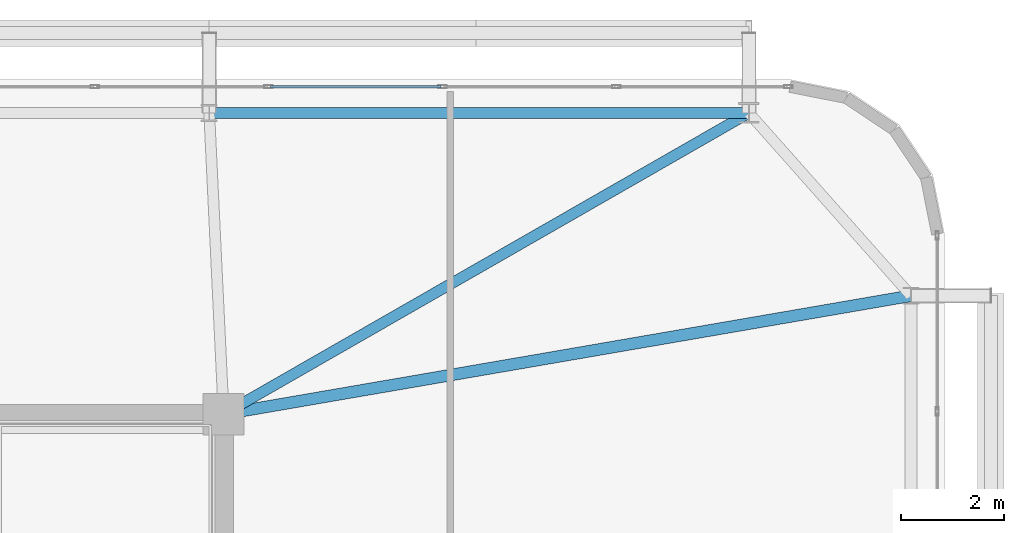
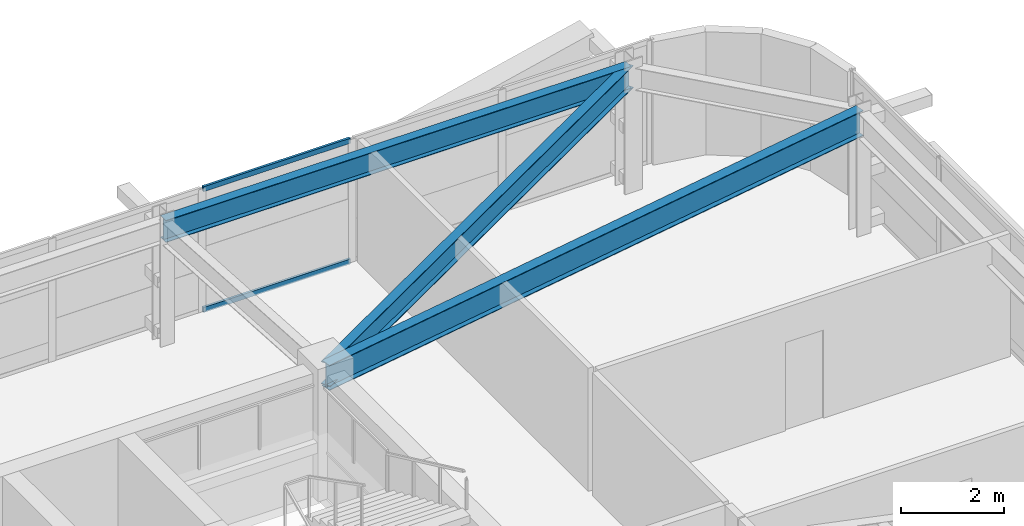
# One storey, part 39 of 59: 3 beams, 2 members, 1 element without a shape of its own.
"""IFC4 building model written with IfcOpenShell, lengths in metres."""

from ifc_helpers import new_model, si_unit, direction, frame, origin, origin_2d, place, context, subcontext, project, spatial, hollow_rectangle, i_section, extrude, source, transform, mapped, material, layer, layer_set, material_profile, profile_set, type_object, element, aggregate, save


model = new_model("IFC4")

# Units and contexts
model_context = context("Model", 3, precision=1e-05, world=origin(), true_north=direction((0.0, 1.0)))
body_context = subcontext(model_context, "Body", "Model", "MODEL_VIEW")
ifc_project = project(units=[si_unit("LENGTHUNIT", "METRE"), si_unit("AREAUNIT", "SQUARE_METRE"), si_unit("VOLUMEUNIT", "CUBIC_METRE"), si_unit("PLANEANGLEUNIT", "RADIAN"), si_unit("MASSUNIT", "GRAM", prefix="KILO")], contexts=[model_context])

# Site, building, storey
site_placement = place(None, origin())
site = spatial("IfcSite", under=ifc_project, at=site_placement, CompositionType="ELEMENT")
building_placement = place(site_placement, origin())
building = spatial("IfcBuilding", under=site, at=building_placement, Name="Taldren Reach Tower", CompositionType="ELEMENT")
storey_placement = place(building_placement, frame((0.0, 0.0, 29.39990234375)))
storey = spatial("IfcBuildingStorey", under=building, at=storey_placement, Name="L08", CompositionType="ELEMENT", Elevation=29.39990234375)

# Beams
ifc_material_1 = material(Name="Steel Gr 350 (350PLUS)", Category="steel")
ifc_material_profile_1 = material_profile(ifc_material_1, i_section(OverallWidth=0.208984375, OverallDepth=0.528076171875, WebThickness=0.009521484375, FlangeThickness=0.01318359375, at=origin_2d()), Name="530UB82.0")
ifc_profile_set_1 = profile_set([ifc_material_profile_1], Name="Steel Gr 350 (350PLUS)")
beam_type_1 = type_object("IfcBeamType", Name="SP-UB530B", PredefinedType="SPANDREL", material=ifc_profile_set_1)
shared_shape_1 = source(origin(), body_context, "Body", "SweptSolid", [
    extrude(i_section(OverallWidth=0.208984375, OverallDepth=0.528076171875, WebThickness=0.009521484375, FlangeThickness=0.01318359375, at=origin_2d()), origin(), (0.0, 0.0, 1.0), 10.47998046875),
])
beam_1_placement = place(storey_placement, frame((61.199951171875, 37.85009765625, 2.666015625), z_axis=(-1.0, 0.0, 0.0), x_axis=(0.0, -1.0, 0.0)))
element("IfcBeam", 1, at=beam_1_placement, inside=storey, type_object=beam_type_1, Name="Perimeter spandrel B1 N6-N5 L08", PredefinedType="SPANDREL", context=body_context, shape_type="MappedRepresentation", body=[
    mapped(shared_shape_1, transform((0.0, 0.0, 0.0), scale=1.0)),
])
ifc_material_profile_2 = material_profile(ifc_material_1, i_section(OverallWidth=0.22802734375, OverallDepth=0.60205078125, WebThickness=0.010498046875, FlangeThickness=0.014892578125, at=origin_2d()), Name="610UB101")
ifc_profile_set_2 = profile_set([ifc_material_profile_2], Name="Steel Gr 350 (350PLUS)")
beam_type_2 = type_object("IfcBeamType", Name="BM-UB610B", PredefinedType="BEAM", material=ifc_profile_set_2)
shared_shape_2 = source(origin(), body_context, "Body", "SweptSolid", [
    extrude(i_section(OverallWidth=0.22802734375, OverallDepth=0.60205078125, WebThickness=0.010498046875, FlangeThickness=0.014892578125, at=origin_2d()), origin(), (0.0, 0.0, 1.0), 13.546875),
])
beam_2_placement = place(storey_placement, frame((51.0, 32.0, 2.629150390625), z_axis=(0.985481022998, 0.169785609847, 0.0), x_axis=(-0.169785609847, 0.985481022998, 0.0)))
element("IfcBeam", 2, at=beam_2_placement, inside=storey, type_object=beam_type_2, Name="Primary floor girder B1-E3 L08", PredefinedType="BEAM", context=body_context, shape_type="MappedRepresentation", body=[
    mapped(shared_shape_2, transform((0.0, 0.0, 0.0), scale=1.0)),
])
ifc_material_profile_3 = material_profile(ifc_material_1, i_section(OverallWidth=0.208984375, OverallDepth=0.532958984375, WebThickness=0.01025390625, FlangeThickness=0.015625, at=origin_2d()), Name="530UB92.4")
ifc_profile_set_3 = profile_set([ifc_material_profile_3], Name="Steel Gr 350 (350PLUS)")
beam_type_3 = type_object("IfcBeamType", Name="BM-UB530A", PredefinedType="BEAM", material=ifc_profile_set_3)
shared_shape_3 = source(origin(), body_context, "Body", "SweptSolid", [
    extrude(i_section(OverallWidth=0.208984375, OverallDepth=0.532958984375, WebThickness=0.01025390625, FlangeThickness=0.015625, at=origin_2d()), origin(), (0.0, 0.0, 1.0), 11.758544921875),
])
beam_3_placement = place(storey_placement, frame((51.0, 32.0, 2.66357421875), z_axis=(0.867452414141, 0.497520159593, 0.0), x_axis=(-0.497520159593, 0.867452414141, 0.0)))
element("IfcBeam", 3, at=beam_3_placement, inside=storey, type_object=beam_type_3, Name="Primary floor girder B1-N6 L08", PredefinedType="BEAM", context=body_context, shape_type="MappedRepresentation", body=[
    mapped(shared_shape_3, transform((0.0, 0.0, 0.0), scale=1.0)),
])

# Curtain wall, members
ifc_material_2 = material(Name="Aluminium and Low-E Glass Unitised System", Category="aluminium")
ifc_layer = layer(ifc_material_2, 0.159912109375)
ifc_layer_set = layer_set([ifc_layer], Name="Aluminium and Low-E Glass Unitised System")
curtain_wall_type = type_object("IfcCurtainWallType", Name="CW-SYS-2", PredefinedType="NOTDEFINED", material=ifc_layer_set)
curtain_wall_placement = place(storey_placement, origin())
curtain_wall = element("IfcCurtainWall", 4, at=curtain_wall_placement, inside=storey, type_object=curtain_wall_type, Name="Unitised curtain wall CW-L08-N", PredefinedType="NOTDEFINED")
ifc_material_3 = material(Name="Anodised Aluminium 6063-T6", Category="aluminium")
ifc_material_profile_4 = material_profile(ifc_material_3, hollow_rectangle(XDim=0.054931640625, YDim=0.1201171875, WallThickness=0.0029296875, at=origin_2d()), Name="ALU-120x55x3RHS")
ifc_profile_set_4 = profile_set([ifc_material_profile_4], Name="Anodised Aluminium 6063-T6")
member_type = type_object("IfcMemberType", Name="CW-TRN-135", PredefinedType="USERDEFINED", material=ifc_profile_set_4)
shared_shape_4 = source(origin(), body_context, "Body", "SweptSolid", [
    extrude(hollow_rectangle(XDim=0.054931640625, YDim=0.1201171875, WallThickness=0.0029296875, at=origin_2d()), origin(), (0.0, 0.0, 1.0), 3.31005859375),
])
member_1_placement = place(storey_placement, frame((55.217529296875, 38.360107421875, 0.027587890625), z_axis=(-1.0, 0.0, 0.0), x_axis=(0.0, -1.0, 0.0)))
member_1 = element("IfcMember", 5, at=member_1_placement, type_object=member_type, Name="CW-2 transom 3.1", ObjectType="TRANSOM", PredefinedType="USERDEFINED", context=body_context, shape_type="MappedRepresentation", body=[
    mapped(shared_shape_4, transform((0.0, 0.0, 0.0), scale=1.0)),
])
member_2_placement = place(storey_placement, frame((55.217529296875, 38.360107421875, 2.902587890625), z_axis=(-1.0, 0.0, 0.0), x_axis=(0.0, -1.0, 0.0)))
member_2 = element("IfcMember", 6, at=member_2_placement, type_object=member_type, Name="CW-2 transom 3.2", ObjectType="TRANSOM", PredefinedType="USERDEFINED", context=body_context, shape_type="MappedRepresentation", body=[
    mapped(shared_shape_4, transform((0.0, 0.0, 0.0), scale=1.0)),
])
aggregate(curtain_wall, [member_1, member_2])

save(model, "model.ifc")
